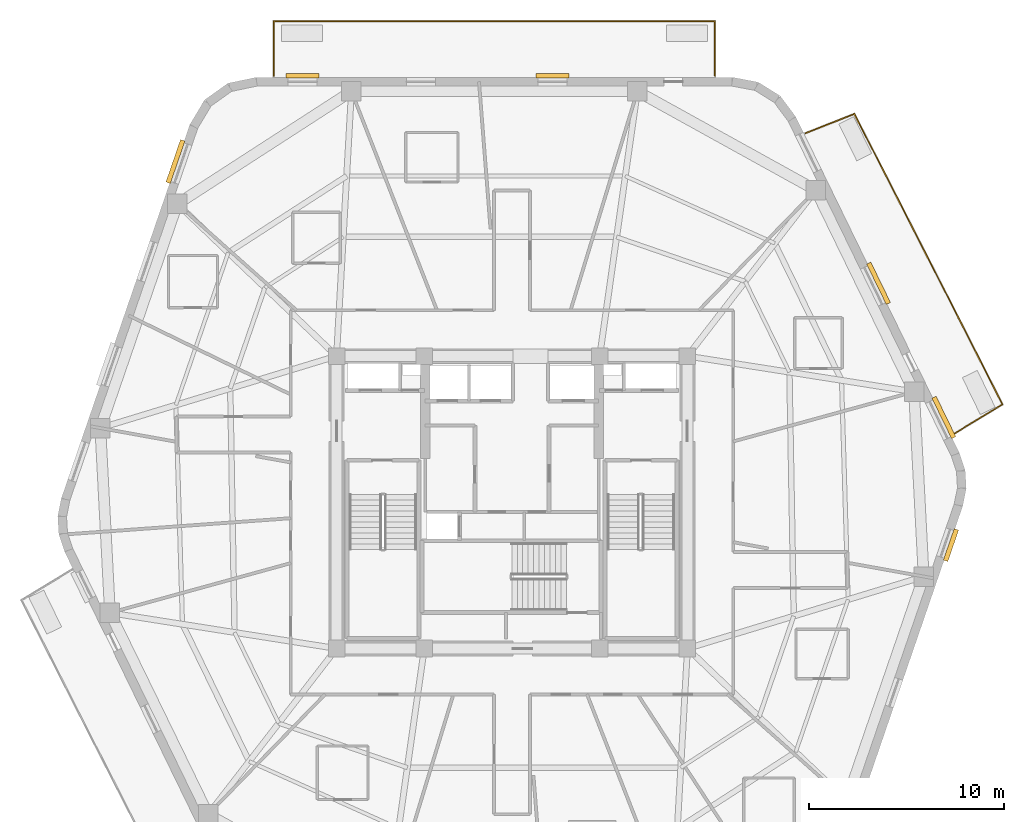
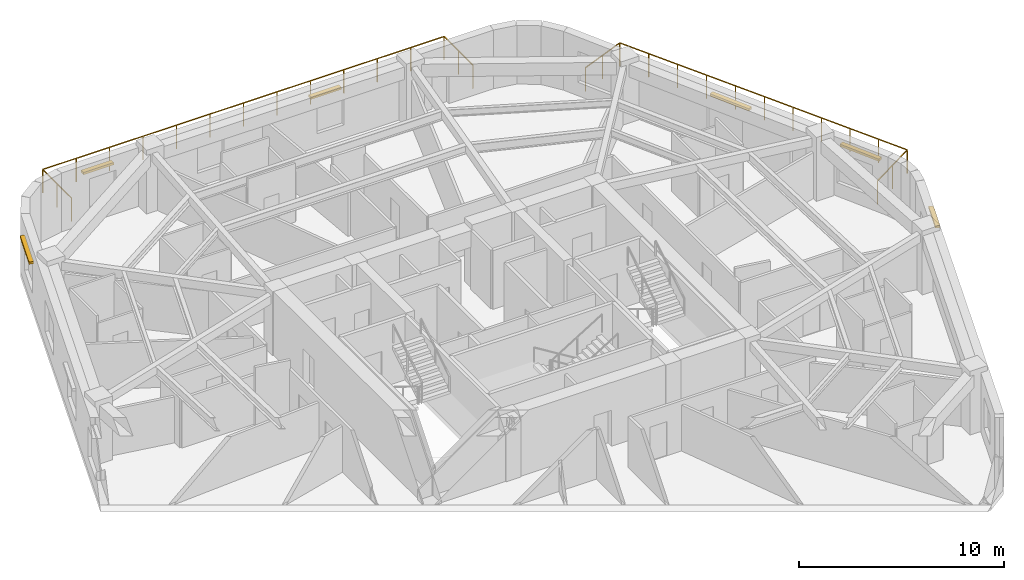
# One storey, part 10 of 10: 6 shading devices, 2 railings.
"""IFC4 building model written with IfcOpenShell, lengths in metres."""

from ifc_helpers import new_model, si_unit, direction, frame, origin, origin_2d, place, context, subcontext, project, spatial, rectangle, extrude, material, layer, layer_set, type_object, element, save


model = new_model("IFC4")

# Units and contexts
model_context = context("Model", 3, precision=1e-05, world=origin(), true_north=direction((0.0, 1.0)))
body_context = subcontext(model_context, "Body", "Model", "MODEL_VIEW")
ifc_project = project(units=[si_unit("LENGTHUNIT", "METRE"), si_unit("AREAUNIT", "SQUARE_METRE"), si_unit("VOLUMEUNIT", "CUBIC_METRE"), si_unit("PLANEANGLEUNIT", "RADIAN"), si_unit("MASSUNIT", "GRAM", prefix="KILO")], contexts=[model_context])

# Site, building, storey
site_placement = place(None, origin())
site = spatial("IfcSite", under=ifc_project, at=site_placement, CompositionType="ELEMENT")
building_placement = place(site_placement, origin())
building = spatial("IfcBuilding", under=site, at=building_placement, Name="Kilnhurst Terrace Hotel", CompositionType="ELEMENT")
storey_placement = place(building_placement, frame((0.0, 0.0, 210.300048828125)))
storey = spatial("IfcBuildingStorey", under=building, at=storey_placement, Name="L52", CompositionType="ELEMENT", Elevation=210.300048828125)

# Railings
ifc_material_1 = material(Name="Laminated SentryGlas and Stainless Steel AISI 316L Balustrade", Category="steel")
ifc_layer_1 = layer(ifc_material_1, 0.070068359375, Name="Laminated SentryGlas and Stainless Steel AISI 316L Balustrade")
ifc_layer_set_1 = layer_set([ifc_layer_1], Name="Laminated SentryGlas and Stainless Steel AISI 316L Balustrade")
railing_type = type_object("IfcRailingType", Name="RLG-BAL-1420", PredefinedType="BALUSTRADE", material=ifc_layer_set_1)
railing_1_placement = place(storey_placement, frame((15.0546875, 18.933349609375, 0.0)))
element("IfcRailing", 1, at=railing_1_placement, inside=storey, type_object=railing_type, Name="L52 Exterior Terrace Guardrail BAL-L1A.1", PredefinedType="BALUSTRADE", context=body_context, shape_type="SweptSolid", body=[
    extrude(rectangle(XDim=0.048095703125, YDim=0.048095703125, at=origin_2d()), frame((0.0, 0.0, 1.39599609375), z_axis=(0.929913162101, 0.367779160574, 0.0), x_axis=(-0.367779160574, 0.929913162101, 0.0)), (0.0, 0.0, 1.0), 2.694580078125),
    extrude(rectangle(XDim=0.048095703125, YDim=0.048095703125, at=origin_2d()), frame((2.505615234375, 0.990966796875, 1.39599609375), z_axis=(0.455129479154, -0.890425267614, 0.0), x_axis=(0.890425267614, 0.455129479154, 0.0)), (0.0, 0.0, 1.0), 8.4072265625),
    extrude(rectangle(XDim=0.048095703125, YDim=0.048095703125, at=origin_2d()), frame((6.33203125, -6.4951171875, 1.39599609375), z_axis=(0.45338853952, -0.891312982196, 0.0), x_axis=(0.891312982196, 0.45338853952, 0.0)), (0.0, 0.0, 1.0), 8.320068359375),
    extrude(rectangle(XDim=0.048095703125, YDim=0.048095703125, at=origin_2d()), frame((10.104248046875, -13.910888671875, 1.39599609375), z_axis=(-0.854990626614, -0.518643450168, 0.0), x_axis=(0.518643450168, -0.854990626614, 0.0)), (0.0, 0.0, 1.0), 3.008056640625),
    extrude(rectangle(XDim=0.0419921875, YDim=0.0419921875, at=origin_2d()), origin(), (0.0, 0.0, 1.0), 1.371826171875),
    extrude(rectangle(XDim=0.0419921875, YDim=0.0419921875, at=origin_2d()), frame((1.2529296875, 0.49560546875, 0.0)), (0.0, 0.0, 1.0), 1.371826171875),
    extrude(rectangle(XDim=0.0419921875, YDim=0.0419921875, at=origin_2d()), frame((2.505615234375, 0.990966796875, 0.0)), (0.0, 0.0, 1.0), 1.371826171875),
    extrude(rectangle(XDim=0.0419921875, YDim=0.0419921875, at=origin_2d()), frame((3.27099609375, -0.50634765625, 0.0)), (0.0, 0.0, 1.0), 1.371826171875),
    extrude(rectangle(XDim=0.0419921875, YDim=0.0419921875, at=origin_2d()), frame((4.0361328125, -2.00341796875, 0.0)), (0.0, 0.0, 1.0), 1.371826171875),
    extrude(rectangle(XDim=0.0419921875, YDim=0.0419921875, at=origin_2d()), frame((4.801513671875, -3.500732421875, 0.0)), (0.0, 0.0, 1.0), 1.371826171875),
    extrude(rectangle(XDim=0.0419921875, YDim=0.0419921875, at=origin_2d()), frame((5.566650390625, -4.997802734375, 0.0)), (0.0, 0.0, 1.0), 1.371826171875),
    extrude(rectangle(XDim=0.0419921875, YDim=0.0419921875, at=origin_2d()), frame((6.33203125, -6.4951171875, 0.0)), (0.0, 0.0, 1.0), 1.371826171875),
    extrude(rectangle(XDim=0.0419921875, YDim=0.0419921875, at=origin_2d()), frame((7.08642578125, -7.978271484375, 0.0)), (0.0, 0.0, 1.0), 1.371826171875),
    extrude(rectangle(XDim=0.0419921875, YDim=0.0419921875, at=origin_2d()), frame((7.8408203125, -9.46142578125, 0.0)), (0.0, 0.0, 1.0), 1.371826171875),
    extrude(rectangle(XDim=0.0419921875, YDim=0.0419921875, at=origin_2d()), frame((8.595458984375, -10.944580078125, 0.0)), (0.0, 0.0, 1.0), 1.371826171875),
    extrude(rectangle(XDim=0.0419921875, YDim=0.0419921875, at=origin_2d()), frame((9.349853515625, -12.427734375, 0.0)), (0.0, 0.0, 1.0), 1.371826171875),
    extrude(rectangle(XDim=0.0419921875, YDim=0.0419921875, at=origin_2d()), frame((10.104248046875, -13.910888671875, 0.0)), (0.0, 0.0, 1.0), 1.371826171875),
    extrude(rectangle(XDim=0.0419921875, YDim=0.0419921875, at=origin_2d()), frame((8.818359375, -14.69091796875, 0.0)), (0.0, 0.0, 1.0), 1.371826171875),
    extrude(rectangle(XDim=0.0419921875, YDim=0.0419921875, at=origin_2d()), frame((7.532470703125, -15.470947265625, 0.0)), (0.0, 0.0, 1.0), 1.371826171875),
])
railing_2_placement = place(storey_placement, frame((-12.21484375, 21.8798828125, 0.0)))
element("IfcRailing", 2, at=railing_2_placement, inside=storey, type_object=railing_type, Name="L52 Exterior Terrace Guardrail BAL-L1B.1", PredefinedType="BALUSTRADE", context=body_context, shape_type="SweptSolid", body=[
    extrude(rectangle(XDim=0.048095703125, YDim=0.048095703125, at=origin_2d()), frame((0.0, 0.0, 1.39599609375), z_axis=(0.0, 1.0, 0.0), x_axis=(-1.0, 0.0, 0.0)), (0.0, 0.0, 1.0), 2.800048828125),
    extrude(rectangle(XDim=0.048095703125, YDim=0.048095703125, at=origin_2d()), frame((0.0, 2.800048828125, 1.39599609375), z_axis=(1.0, 0.0, 0.0), x_axis=(0.0, 1.0, 0.0)), (0.0, 0.0, 1.0), 22.62353515625),
    extrude(rectangle(XDim=0.048095703125, YDim=0.048095703125, at=origin_2d()), frame((22.62353515625, 2.800048828125, 1.39599609375), z_axis=(0.0, -1.0, 0.0), x_axis=(1.0, 0.0, 0.0)), (0.0, 0.0, 1.0), 2.800048828125),
    extrude(rectangle(XDim=0.0419921875, YDim=0.0419921875, at=origin_2d()), origin(), (0.0, 0.0, 1.0), 1.371826171875),
    extrude(rectangle(XDim=0.0419921875, YDim=0.0419921875, at=origin_2d()), frame((0.0, 1.39990234375, 0.0)), (0.0, 0.0, 1.0), 1.371826171875),
    extrude(rectangle(XDim=0.0419921875, YDim=0.0419921875, at=origin_2d()), frame((0.0, 2.800048828125, 0.0)), (0.0, 0.0, 1.0), 1.371826171875),
    extrude(rectangle(XDim=0.0419921875, YDim=0.0419921875, at=origin_2d()), frame((1.88525390625, 2.800048828125, 0.0)), (0.0, 0.0, 1.0), 1.371826171875),
    extrude(rectangle(XDim=0.0419921875, YDim=0.0419921875, at=origin_2d()), frame((3.7705078125, 2.800048828125, 0.0)), (0.0, 0.0, 1.0), 1.371826171875),
    extrude(rectangle(XDim=0.0419921875, YDim=0.0419921875, at=origin_2d()), frame((5.65576171875, 2.800048828125, 0.0)), (0.0, 0.0, 1.0), 1.371826171875),
    extrude(rectangle(XDim=0.0419921875, YDim=0.0419921875, at=origin_2d()), frame((7.541259765625, 2.800048828125, 0.0)), (0.0, 0.0, 1.0), 1.371826171875),
    extrude(rectangle(XDim=0.0419921875, YDim=0.0419921875, at=origin_2d()), frame((9.426513671875, 2.800048828125, 0.0)), (0.0, 0.0, 1.0), 1.371826171875),
    extrude(rectangle(XDim=0.0419921875, YDim=0.0419921875, at=origin_2d()), frame((11.311767578125, 2.800048828125, 0.0)), (0.0, 0.0, 1.0), 1.371826171875),
    extrude(rectangle(XDim=0.0419921875, YDim=0.0419921875, at=origin_2d()), frame((13.197021484375, 2.800048828125, 0.0)), (0.0, 0.0, 1.0), 1.371826171875),
    extrude(rectangle(XDim=0.0419921875, YDim=0.0419921875, at=origin_2d()), frame((15.082275390625, 2.800048828125, 0.0)), (0.0, 0.0, 1.0), 1.371826171875),
    extrude(rectangle(XDim=0.0419921875, YDim=0.0419921875, at=origin_2d()), frame((16.9677734375, 2.800048828125, 0.0)), (0.0, 0.0, 1.0), 1.371826171875),
    extrude(rectangle(XDim=0.0419921875, YDim=0.0419921875, at=origin_2d()), frame((18.85302734375, 2.800048828125, 0.0)), (0.0, 0.0, 1.0), 1.371826171875),
    extrude(rectangle(XDim=0.0419921875, YDim=0.0419921875, at=origin_2d()), frame((20.73828125, 2.800048828125, 0.0)), (0.0, 0.0, 1.0), 1.371826171875),
    extrude(rectangle(XDim=0.0419921875, YDim=0.0419921875, at=origin_2d()), frame((22.62353515625, 2.800048828125, 0.0)), (0.0, 0.0, 1.0), 1.371826171875),
    extrude(rectangle(XDim=0.0419921875, YDim=0.0419921875, at=origin_2d()), frame((22.62353515625, 1.39990234375, 0.0)), (0.0, 0.0, 1.0), 1.371826171875),
    extrude(rectangle(XDim=0.0419921875, YDim=0.0419921875, at=origin_2d()), frame((22.62353515625, 0.0, 0.0)), (0.0, 0.0, 1.0), 1.371826171875),
])

# Shading devices
ifc_material_2 = material(Name="Terracotta Baguette Sunshade on Aluminium Alloy 6063-T6", Category="masonry")
ifc_layer_2 = layer(ifc_material_2, 0.199951171875, Name="Terracotta Baguette Sunshade on Aluminium Alloy 6063-T6")
ifc_layer_set_2 = layer_set([ifc_layer_2], Name="Terracotta Baguette Sunshade on Aluminium Alloy 6063-T6")
shading_device_type = type_object("IfcShadingDeviceType", Name="SHD-SUN-200", PredefinedType="JALOUSIE", material=ifc_layer_set_2)
shading_device_1_placement = place(storey_placement, frame((22.5185546875, -2.193115234375, 2.6298828125), z_axis=(0.0, 0.0, 1.0), x_axis=(0.325089542819, 0.94568323933, 0.0)))
element("IfcShadingDevice", 3, at=shading_device_1_placement, inside=storey, type_object=shading_device_type, Name="L52 Terracotta Window Sunshade F2.3", PredefinedType="JALOUSIE", context=body_context, shape_type="SweptSolid", body=[
    extrude(rectangle(XDim=1.699951171875, YDim=0.239990234375, at=origin_2d()), origin(), (0.0, 0.0, 1.0), 0.139892578125),
])
for number, where, z_axis, x_axis, name in (
    (4, (18.802734375, 11.23486328125, 2.68017578125), (0.0, 0.0, 1.0), (-0.437743563395, 0.899099868038, 0.0), "L52 Terracotta Window Sunshade F3.1"),
    (5, (22.1533203125, 4.353271484375, 2.68017578125), (0.0, 0.0, 1.0), (-0.437743563395, 0.899099868038, 0.0), "L52 Terracotta Window Sunshade F3.3"),
):
    element("IfcShadingDevice", number, at=place(storey_placement, frame(where, z_axis=z_axis, x_axis=x_axis)), inside=storey, type_object=shading_device_type, Name=name, PredefinedType="JALOUSIE", context=body_context, shape_type="SweptSolid", body=[
        extrude(rectangle(XDim=2.300048828125, YDim=0.239990234375, at=origin_2d()), origin(), (0.0, 0.0, 1.0), 0.139892578125),
    ])
for number, where, z_axis, x_axis, name in (
    (6, (2.07861328125, 21.8798828125, 2.6298828125), (0.0, 0.0, 1.0), (-1.0, 0.0, 0.0), "L52 Terracotta Window Sunshade F4.1"),
    (7, (-10.748291015625, 21.8798828125, 2.6298828125), (0.0, 0.0, 1.0), (-1.0, 0.0, 0.0), "L52 Terracotta Window Sunshade F4.3"),
):
    element("IfcShadingDevice", number, at=place(storey_placement, frame(where, z_axis=z_axis, x_axis=x_axis)), inside=storey, type_object=shading_device_type, Name=name, PredefinedType="JALOUSIE", context=body_context, shape_type="SweptSolid", body=[
        extrude(rectangle(XDim=1.699951171875, YDim=0.239990234375, at=origin_2d()), origin(), (0.0, 0.0, 1.0), 0.139892578125),
    ])
shading_device_2_placement = place(storey_placement, frame((-17.263671875, 17.47998046875, 2.68017578125), z_axis=(0.0, 0.0, 1.0), x_axis=(-0.325089542819, -0.94568323933, 0.0)))
element("IfcShadingDevice", 8, at=shading_device_2_placement, inside=storey, type_object=shading_device_type, Name="L52 Terracotta Window Sunshade F5.1", PredefinedType="JALOUSIE", context=body_context, shape_type="SweptSolid", body=[
    extrude(rectangle(XDim=2.300048828125, YDim=0.239990234375, at=origin_2d()), origin(), (0.0, 0.0, 1.0), 0.139892578125),
])

save(model, "model.ifc")
